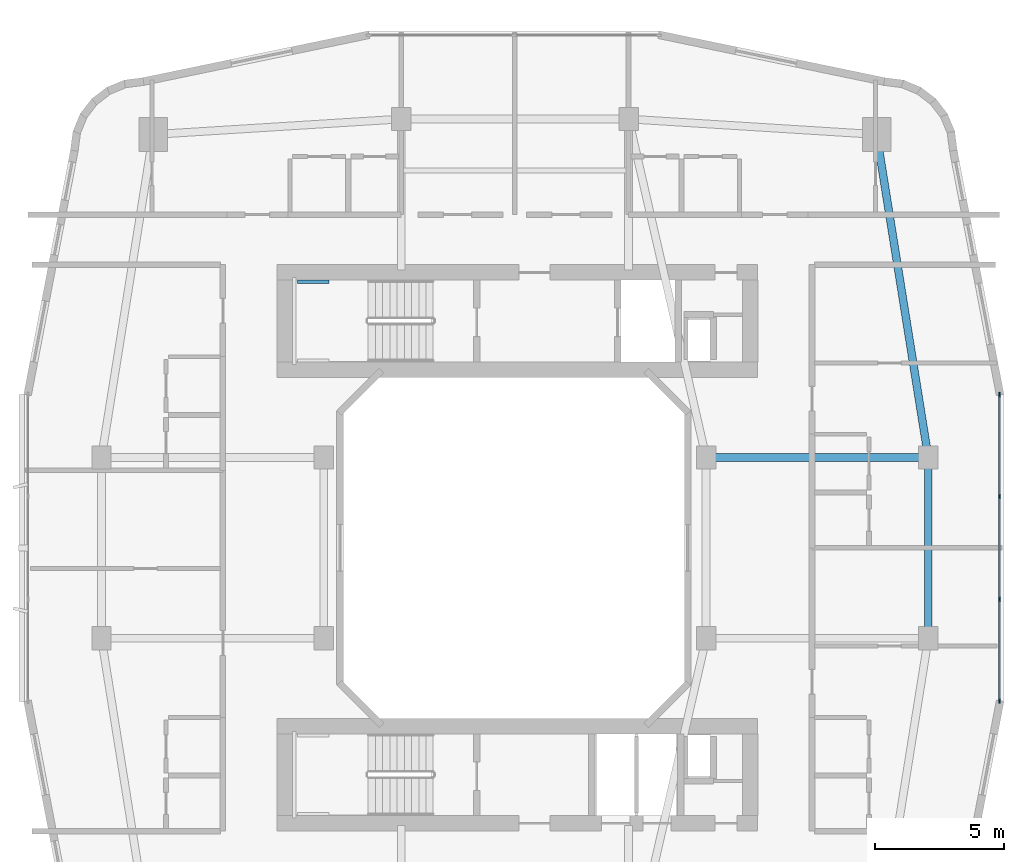
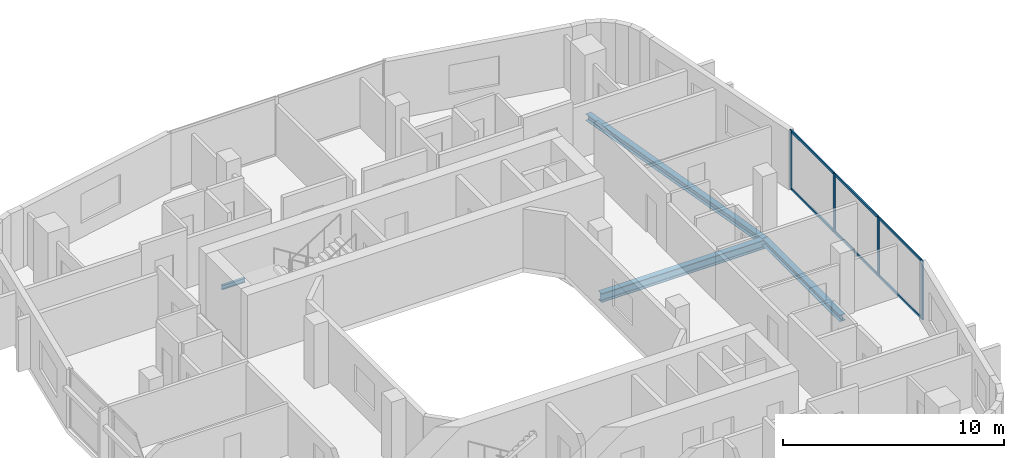
# One storey, part 10 of 26: 10 members, 4 beams, 1 element without a shape of its own.
"""IFC4 building model written with IfcOpenShell, lengths in metres."""

from ifc_helpers import new_model, si_unit, derived_unit, direction, frame, origin, origin_2d, place, context, subcontext, project, spatial, rectangle, i_section, extrude, material, layer, layer_set, material_profile, profile_set, type_object, element, aggregate, save


model = new_model("IFC4")

# Units and contexts
model_context = context("Model", 3, precision=1e-05, world=origin(), true_north=direction((0.0, 1.0)))
body_context = subcontext(model_context, "Body", "Model", "MODEL_VIEW")
ifc_project = project(units=[si_unit("LENGTHUNIT", "METRE"), si_unit("AREAUNIT", "SQUARE_METRE"), si_unit("VOLUMEUNIT", "CUBIC_METRE"), si_unit("PLANEANGLEUNIT", "RADIAN"), si_unit("MASSUNIT", "GRAM", prefix="KILO"), derived_unit("THERMALTRANSMITTANCEUNIT", [(si_unit("POWERUNIT", "WATT"), 1), (si_unit("LENGTHUNIT", "METRE"), -2), (si_unit("THERMODYNAMICTEMPERATUREUNIT", "KELVIN"), -1)])], contexts=[model_context])

# Site, building, storey
site_placement = place(None, origin())
site = spatial("IfcSite", under=ifc_project, at=site_placement, CompositionType="ELEMENT")
building_placement = place(site_placement, origin())
building = spatial("IfcBuilding", under=site, at=building_placement, Name="Kivonza Crest Hotel", CompositionType="ELEMENT")
storey_placement = place(building_placement, frame((0.0, 0.0, 55.5)))
storey = spatial("IfcBuildingStorey", under=building, at=storey_placement, Name="L14", CompositionType="ELEMENT", Elevation=55.5)

# Beams
ifc_material_1 = material(Name="Steel S355", Category="steel")
ifc_material_profile_1 = material_profile(ifc_material_1, i_section(OverallWidth=0.300048828125, OverallDepth=0.360107421875, WebThickness=0.012451171875, FlangeThickness=0.0224609375, FilletRadius=0.027099609375, at=origin_2d()), Name="HEB 360")
ifc_profile_set_1 = profile_set([ifc_material_profile_1], Name="Steel S355")
beam_type_1 = type_object("IfcBeamType", Name="BM-HEB360", PredefinedType="SPANDREL", material=ifc_profile_set_1)
beam_1_placement = place(storey_placement, frame((93.0, 21.5, -0.429931640625), z_axis=(0.0, 1.0, 0.0), x_axis=(-1.0, 0.0, 0.0)))
element("IfcBeam", 1, at=beam_1_placement, inside=storey, type_object=beam_type_1, Name="Companion Tower T2 L14 perimeter spandrel E1-E2", PredefinedType="SPANDREL", context=body_context, shape_type="SweptSolid", body=[
    extrude(i_section(OverallWidth=0.300048828125, OverallDepth=0.360107421875, WebThickness=0.012451171875, FlangeThickness=0.0224609375, FilletRadius=0.027099609375, at=origin_2d()), origin(), (0.0, 0.0, 1.0), 7.0),
])
beam_2_placement = place(storey_placement, frame((93.0, 28.5, -0.429931640625), z_axis=(-0.157990501107, 0.987440631917, 0.0), x_axis=(-0.987440631917, -0.157990501107, 0.0)))
element("IfcBeam", 2, at=beam_2_placement, inside=storey, type_object=beam_type_1, Name="Companion Tower T2 L14 perimeter spandrel E2-NE", PredefinedType="SPANDREL", context=body_context, shape_type="SweptSolid", body=[
    extrude(i_section(OverallWidth=0.300048828125, OverallDepth=0.360107421875, WebThickness=0.012451171875, FlangeThickness=0.0224609375, FilletRadius=0.027099609375, at=origin_2d()), origin(), (0.0, 0.0, 1.0), 12.658935546875),
])
ifc_material_profile_2 = material_profile(ifc_material_1, i_section(OverallWidth=0.300048828125, OverallDepth=0.5, WebThickness=0.014404296875, FlangeThickness=0.028076171875, FilletRadius=0.027099609375, at=origin_2d()), Name="HEB 500")
ifc_profile_set_2 = profile_set([ifc_material_profile_2], Name="Steel S355")
beam_type_2 = type_object("IfcBeamType", Name="BM-HEB500", PredefinedType="BEAM", material=ifc_profile_set_2)
beam_3_placement = place(storey_placement, frame((84.39990234375, 28.5, -0.5), z_axis=(1.0, 0.0, 0.0), x_axis=(0.0, 1.0, 0.0)))
element("IfcBeam", 3, at=beam_3_placement, inside=storey, type_object=beam_type_2, Name="Companion Tower T2 L14 girder WR2-E2", PredefinedType="BEAM", context=body_context, shape_type="SweptSolid", body=[
    extrude(i_section(OverallWidth=0.300048828125, OverallDepth=0.5, WebThickness=0.014404296875, FlangeThickness=0.028076171875, FilletRadius=0.027099609375, at=origin_2d()), origin(), (0.0, 0.0, 1.0), 8.60009765625),
])
ifc_material_profile_3 = material_profile(ifc_material_1, i_section(OverallWidth=0.1201171875, OverallDepth=0.239990234375, WebThickness=0.006103515625, FlangeThickness=0.009765625, FilletRadius=0.014892578125, at=origin_2d()), Name="IPE 240")
ifc_profile_set_3 = profile_set([ifc_material_profile_3], Name="Steel S355")
beam_type_3 = type_object("IfcBeamType", Name="BM-LLDG-240", PredefinedType="BEAM", material=ifc_profile_set_3)
beam_4_placement = place(storey_placement, frame((68.590087890625, 35.300048828125, 1.429931640625), z_axis=(1.0, 0.0, 0.0), x_axis=(0.0, 1.0, 0.0)))
element("IfcBeam", 4, at=beam_4_placement, inside=storey, type_object=beam_type_3, Name="Stair ST-T2-N L14 North landing corbel", PredefinedType="BEAM", context=body_context, shape_type="SweptSolid", body=[
    extrude(i_section(OverallWidth=0.1201171875, OverallDepth=0.239990234375, WebThickness=0.006103515625, FlangeThickness=0.009765625, FilletRadius=0.014892578125, at=origin_2d()), origin(), (0.0, 0.0, 1.0), 1.2099609375),
])

# Curtain wall, members
ifc_material_2 = material(Name="Anodised bronze aluminium and low-E double glazing", Category="aluminium")
ifc_layer = layer(ifc_material_2, 0.179931640625)
ifc_layer_set = layer_set([ifc_layer], Name="Anodised bronze aluminium and low-E double glazing")
curtain_wall_type = type_object("IfcCurtainWallType", Name="CW-SYS-4", PredefinedType="NOTDEFINED", material=ifc_layer_set)
curtain_wall_placement = place(storey_placement, origin())
curtain_wall = element("IfcCurtainWall", 5, at=curtain_wall_placement, inside=storey, type_object=curtain_wall_type, Name="L14 unitised curtain wall CW-T2-L14-17", PredefinedType="NOTDEFINED")
ifc_material_3 = material(Name="Anodised bronze aluminium", Category="aluminium")
ifc_material_profile_4 = material_profile(ifc_material_3, rectangle(XDim=0.06494140625, YDim=0.179931640625, at=origin_2d()), Name="CW-M 65x180")
ifc_profile_set_4 = profile_set([ifc_material_profile_4], Name="Anodised bronze aluminium")
member_type_1 = type_object("IfcMemberType", Name="CW-MUL-65x180", PredefinedType="MULLION", material=ifc_profile_set_4)
member_1_placement = place(storey_placement, frame((95.760009765625, 19.072509765625, 0.0), z_axis=(0.0, 0.0, 1.0), x_axis=(-1.0, 0.0, 0.0)))
member_1 = element("IfcMember", 6, at=member_1_placement, type_object=member_type_1, Name="CW-4 mullion 1", PredefinedType="MULLION", context=body_context, shape_type="SweptSolid", body=[
    extrude(rectangle(XDim=0.06494140625, YDim=0.179931640625, at=origin_2d()), origin(), (0.0, 0.0, 1.0), 3.25),
])
member_2_placement = place(storey_placement, frame((95.760009765625, 23.013427734375, 0.0), z_axis=(0.0, 0.0, 1.0), x_axis=(-1.0, 0.0, 0.0)))
member_2 = element("IfcMember", 7, at=member_2_placement, type_object=member_type_1, Name="CW-4 mullion 2", PredefinedType="MULLION", context=body_context, shape_type="SweptSolid", body=[
    extrude(rectangle(XDim=0.06494140625, YDim=0.179931640625, at=origin_2d()), origin(), (0.0, 0.0, 1.0), 3.25),
])
member_3_placement = place(storey_placement, frame((95.760009765625, 26.986572265625, 0.0), z_axis=(0.0, 0.0, 1.0), x_axis=(-1.0, 0.0, 0.0)))
member_3 = element("IfcMember", 8, at=member_3_placement, type_object=member_type_1, Name="CW-4 mullion 3", PredefinedType="MULLION", context=body_context, shape_type="SweptSolid", body=[
    extrude(rectangle(XDim=0.06494140625, YDim=0.179931640625, at=origin_2d()), origin(), (0.0, 0.0, 1.0), 3.25),
])
member_4_placement = place(storey_placement, frame((95.760009765625, 30.927490234375, 0.0), z_axis=(0.0, 0.0, 1.0), x_axis=(-1.0, 0.0, 0.0)))
member_4 = element("IfcMember", 9, at=member_4_placement, type_object=member_type_1, Name="CW-4 mullion 4", PredefinedType="MULLION", context=body_context, shape_type="SweptSolid", body=[
    extrude(rectangle(XDim=0.06494140625, YDim=0.179931640625, at=origin_2d()), origin(), (0.0, 0.0, 1.0), 3.25),
])
ifc_material_profile_5 = material_profile(ifc_material_3, rectangle(XDim=0.06494140625, YDim=0.139892578125, at=origin_2d()), Name="CW-T 65x140")
ifc_profile_set_5 = profile_set([ifc_material_profile_5], Name="Anodised bronze aluminium")
member_type_2 = type_object("IfcMemberType", Name="CW-TRN-65x140", PredefinedType="USERDEFINED", material=ifc_profile_set_5)
member_5_placement = place(storey_placement, frame((95.760009765625, 19.10498046875, 0.032470703125), z_axis=(0.0, 1.0, 0.0), x_axis=(-1.0, 0.0, 0.0)))
member_5 = element("IfcMember", 10, at=member_5_placement, type_object=member_type_2, Name="CW-4 transom 1.1", ObjectType="TRANSOM", PredefinedType="USERDEFINED", context=body_context, shape_type="SweptSolid", body=[
    extrude(rectangle(XDim=0.06494140625, YDim=0.139892578125, at=origin_2d()), origin(), (0.0, 0.0, 1.0), 3.875732421875),
])
member_6_placement = place(storey_placement, frame((95.760009765625, 19.10498046875, 3.217529296875), z_axis=(0.0, 1.0, 0.0), x_axis=(-1.0, 0.0, 0.0)))
member_6 = element("IfcMember", 11, at=member_6_placement, type_object=member_type_2, Name="CW-4 transom 1.2", ObjectType="TRANSOM", PredefinedType="USERDEFINED", context=body_context, shape_type="SweptSolid", body=[
    extrude(rectangle(XDim=0.06494140625, YDim=0.139892578125, at=origin_2d()), origin(), (0.0, 0.0, 1.0), 3.875732421875),
])
member_7_placement = place(storey_placement, frame((95.760009765625, 23.0458984375, 0.032470703125), z_axis=(0.0, 1.0, 0.0), x_axis=(-1.0, 0.0, 0.0)))
member_7 = element("IfcMember", 12, at=member_7_placement, type_object=member_type_2, Name="CW-4 transom 2.1", ObjectType="TRANSOM", PredefinedType="USERDEFINED", context=body_context, shape_type="SweptSolid", body=[
    extrude(rectangle(XDim=0.06494140625, YDim=0.139892578125, at=origin_2d()), origin(), (0.0, 0.0, 1.0), 3.908203125),
])
member_8_placement = place(storey_placement, frame((95.760009765625, 23.0458984375, 3.217529296875), z_axis=(0.0, 1.0, 0.0), x_axis=(-1.0, 0.0, 0.0)))
member_8 = element("IfcMember", 13, at=member_8_placement, type_object=member_type_2, Name="CW-4 transom 2.2", ObjectType="TRANSOM", PredefinedType="USERDEFINED", context=body_context, shape_type="SweptSolid", body=[
    extrude(rectangle(XDim=0.06494140625, YDim=0.139892578125, at=origin_2d()), origin(), (0.0, 0.0, 1.0), 3.908203125),
])
member_9_placement = place(storey_placement, frame((95.760009765625, 27.019287109375, 0.032470703125), z_axis=(0.0, 1.0, 0.0), x_axis=(-1.0, 0.0, 0.0)))
member_9 = element("IfcMember", 14, at=member_9_placement, type_object=member_type_2, Name="CW-4 transom 3.1", ObjectType="TRANSOM", PredefinedType="USERDEFINED", context=body_context, shape_type="SweptSolid", body=[
    extrude(rectangle(XDim=0.06494140625, YDim=0.139892578125, at=origin_2d()), origin(), (0.0, 0.0, 1.0), 3.875732421875),
])
member_10_placement = place(storey_placement, frame((95.760009765625, 27.019287109375, 3.217529296875), z_axis=(0.0, 1.0, 0.0), x_axis=(-1.0, 0.0, 0.0)))
member_10 = element("IfcMember", 15, at=member_10_placement, type_object=member_type_2, Name="CW-4 transom 3.2", ObjectType="TRANSOM", PredefinedType="USERDEFINED", context=body_context, shape_type="SweptSolid", body=[
    extrude(rectangle(XDim=0.06494140625, YDim=0.139892578125, at=origin_2d()), origin(), (0.0, 0.0, 1.0), 3.875732421875),
])
aggregate(curtain_wall, [member_1, member_2, member_3, member_4, member_5, member_6, member_7, member_8, member_9, member_10])

save(model, "model.ifc")
